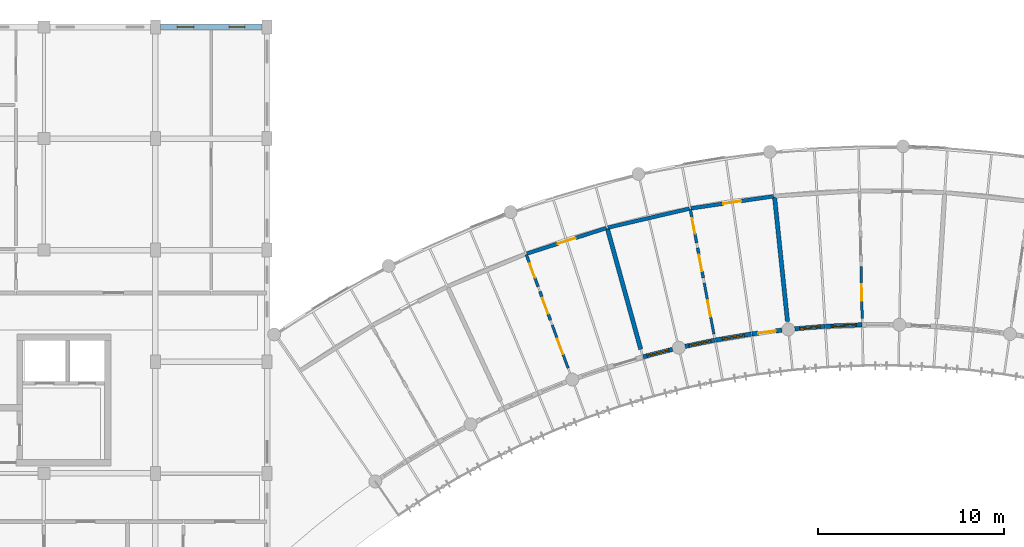
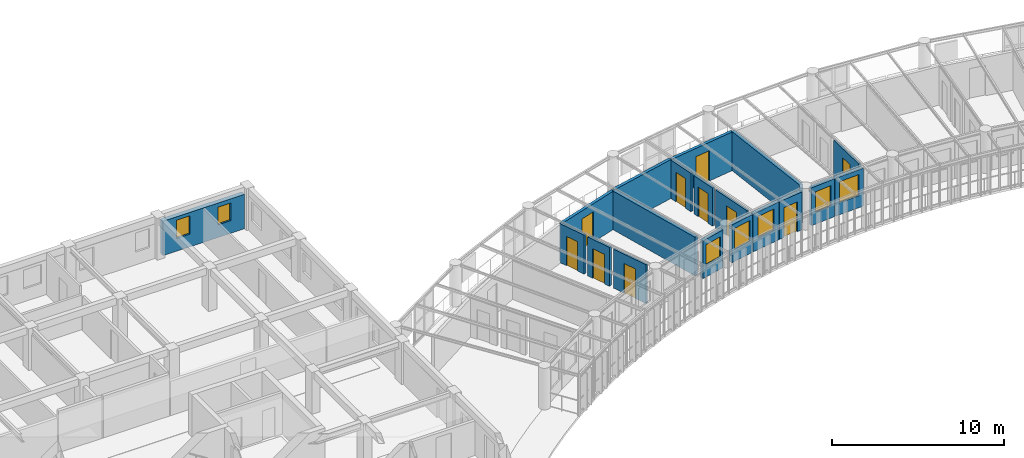
# One storey, part 73 of 100: 19 walls, 10 doors, 7 windows, 17 openings.
"""IFC4 building model written with IfcOpenShell, lengths in metres."""

import ifcopenshell
import ifcopenshell.guid

model = None  # the IFC model being written
_history = None  # IfcOwnerHistory: only IFC2X3 demands one
_inside = {}  # id of a spatial element -> (the spatial element, [elements in it])
_under = {}  # id of a project, library or spatial element -> (it, [spatial elements below it])
_declared = {}  # id of a project -> (the project, [libraries it declares])
_typed = {}  # id of a type object -> (the type object, [elements of that type])
_made_of = {}  # id of a material, layer set ... -> (it, [elements and type objects made of it])


def new_model(schema):
    """Start an empty IFC model of exactly this schema.

    Asked for "IFC4X3", IfcOpenShell would pick the latest addendum, in which some entities
    have other attributes; the version numbers below select the first issue.
    IFC2X3 requires an IfcOwnerHistory on every rooted entity: one is made here for all.
    """
    global model, _history
    if schema == "IFC4X3":
        model = ifcopenshell.file(schema_version=(4, 3, 0, 0))
    else:
        model = ifcopenshell.file(schema=schema)
    _inside.clear()
    _under.clear()
    _declared.clear()
    _typed.clear()
    _made_of.clear()
    _history = None
    if model.schema == "IFC2X3":
        org = make("IfcOrganization", Name="unknown")
        user = make(
            "IfcPersonAndOrganization",
            ThePerson=make("IfcPerson", FamilyName="unknown"),
            TheOrganization=org,
        )
        app = make(
            "IfcApplication",
            ApplicationDeveloper=org,
            Version="unknown",
            ApplicationFullName="unknown",
            ApplicationIdentifier="unknown",
        )
        _history = make(
            "IfcOwnerHistory",
            OwningUser=user,
            OwningApplication=app,
            ChangeAction="ADDED",
            CreationDate=0,
        )
    return model


def make(cls, **values):
    """One entity of the class cls with the attributes given. An attribute that is None is left unset."""
    return model.create_entity(
        cls, **{name: value for name, value in values.items() if value is not None}
    )


def rooted(cls, **values):
    """An entity with a GlobalId (a new one), such as an element, a storey or a relation."""
    return make(cls, GlobalId=ifcopenshell.guid.new(), OwnerHistory=_history, **values)


def si_unit(unit_type, name, prefix=None):
    """IfcSIUnit, for example si_unit("LENGTHUNIT", "METRE", prefix="MILLI")."""
    return make("IfcSIUnit", UnitType=unit_type, Prefix=prefix, Name=name)


def assignment(units):
    """IfcUnitAssignment: the units of a project."""
    return None if units is None else make("IfcUnitAssignment", Units=units)


def point(xyz):
    """IfcCartesianPoint."""
    return None if xyz is None else make("IfcCartesianPoint", Coordinates=xyz)


def direction(xyz):
    """IfcDirection."""
    return None if xyz is None else make("IfcDirection", DirectionRatios=xyz)


def frame(location, z_axis=None, x_axis=None):
    """IfcAxis2Placement3D, a coordinate frame: its origin and axes. An axis left out is left unset."""
    return make(
        "IfcAxis2Placement3D",
        Location=point(location),
        Axis=direction(z_axis),
        RefDirection=direction(x_axis),
    )


def frame_2d(location, x_axis=None):
    """IfcAxis2Placement2D, a coordinate frame in the plane: its origin and x axis."""
    return make(
        "IfcAxis2Placement2D", Location=point(location), RefDirection=direction(x_axis)
    )


def origin():
    """The frame at (0, 0, 0) with its axes left unset."""
    return frame((0.0, 0.0, 0.0))


def place(relative_to, where):
    """IfcLocalPlacement: puts the frame where relative to a parent placement (None: the world)."""
    return make(
        "IfcLocalPlacement", PlacementRelTo=relative_to, RelativePlacement=where
    )


def context(
    kind, dimensions, precision=None, world=None, true_north=None, identifier=None
):
    """IfcGeometricRepresentationContext, for example the 3D "Model" context."""
    return make(
        "IfcGeometricRepresentationContext",
        ContextIdentifier=identifier,
        ContextType=kind,
        CoordinateSpaceDimension=dimensions,
        Precision=precision,
        WorldCoordinateSystem=world,
        TrueNorth=true_north,
    )


def subcontext(parent, identifier, kind, view, scale=None):
    """IfcGeometricRepresentationSubContext, for example "Body" below "Model"."""
    return make(
        "IfcGeometricRepresentationSubContext",
        ContextIdentifier=identifier,
        ContextType=kind,
        ParentContext=parent,
        TargetScale=scale,
        TargetView=view,
    )


def project(units=None, contexts=None):
    """IfcProject with its units and contexts."""
    return rooted(
        "IfcProject",
        Name="project",
        RepresentationContexts=contexts,
        UnitsInContext=assignment(units),
    )


def spatial(cls, under=None, at=None, **own):
    """A site, building, storey or space (cls), placed at a placement, below another one or the project."""
    s = rooted(cls, ObjectPlacement=at, **own)
    if under is not None:
        _under.setdefault(under.id(), (under, []))[1].append(s)
    return s


def profile(cls, at=None, kind="AREA", **sizes):
    """A parametric profile (cls). Its sizes go by their IFC names, for example OverallWidth=200.0."""
    return make(cls, ProfileType=kind, Position=at, **sizes)


def rectangle(**sizes):
    """IfcRectangleProfileDef."""
    return profile("IfcRectangleProfileDef", **sizes)


def extrude(swept, where, along, depth):
    """IfcExtrudedAreaSolid: the profile swept, set in the frame where, extruded along a direction by depth."""
    return make(
        "IfcExtrudedAreaSolid",
        SweptArea=swept,
        Position=where,
        ExtrudedDirection=direction(along),
        Depth=depth,
    )


def shape(context_of_items, identifier, shape_type, items):
    """IfcShapeRepresentation: the items that make up one representation, for example the "Body"."""
    return make(
        "IfcShapeRepresentation",
        ContextOfItems=context_of_items,
        RepresentationIdentifier=identifier,
        RepresentationType=shape_type,
        Items=items,
    )


def material(Name=None, Category=None):
    """IfcMaterial."""
    return make("IfcMaterial", Name=Name, Category=Category)


def layer(
    of_material, thickness, ventilated=None, Name=None, Category=None, Priority=None
):
    """IfcMaterialLayer: one layer of a wall or slab, of a material (None: an air gap)."""
    return make(
        "IfcMaterialLayer",
        Material=of_material,
        LayerThickness=thickness,
        IsVentilated=ventilated,
        Name=Name,
        Category=Category,
        Priority=Priority,
    )


def layer_set(layers, Name=None):
    """IfcMaterialLayerSet."""
    return make("IfcMaterialLayerSet", MaterialLayers=layers, LayerSetName=Name)


def made_of(thing, what):
    """Note that an element or type object is made of a material, layer set ...; save() writes the relation."""
    if what is not None:
        _made_of.setdefault(what.id(), (what, []))[1].append(thing)
    return thing


def type_object(cls, material=None, **own):
    """A type object (cls), such as IfcWallType, which elements share."""
    return made_of(rooted(cls, **own), material)


def element(
    cls,
    number,
    at=None,
    inside=None,
    cuts=None,
    type_object=None,
    material=None,
    context=None,
    identifier="Body",
    shape_type=None,
    held_by="IfcProductDefinitionShape",
    body=None,
    shapes=None,
    **own,
):
    """One element of the class cls, such as IfcWall. Its Tag is "e" and its number.

    at: its placement. inside: the storey or other place that contains it. cuts: it is an
    opening in that element (IfcRelVoidsElement). A single representation is given by context,
    identifier, shape_type and body (its items); several are given by shapes. held_by: the class
    of the entity that holds the representations. save() writes the other relations.
    """
    e = rooted(cls, Tag="e%d" % number, ObjectPlacement=at, **own)
    if body is not None:
        shapes = [shape(context, identifier, shape_type, body)]
    if shapes is not None:
        e.Representation = make(held_by, Representations=shapes)
    if inside is not None:
        _inside.setdefault(inside.id(), (inside, []))[1].append(e)
    if cuts is not None:
        rooted(
            "IfcRelVoidsElement", RelatingBuildingElement=cuts, RelatedOpeningElement=e
        )
    if type_object is not None:
        _typed.setdefault(type_object.id(), (type_object, []))[1].append(e)
    return made_of(e, material)


def fill(opening, filler):
    """IfcRelFillsElement: the door or window that sits in an opening."""
    return rooted(
        "IfcRelFillsElement",
        RelatingOpeningElement=opening,
        RelatedBuildingElement=filler,
    )


def aggregate(whole, parts):
    """IfcRelAggregates: a whole, such as a stair, and the parts it consists of."""
    return rooted("IfcRelAggregates", RelatingObject=whole, RelatedObjects=parts)


def save(model, path):
    """Write the relations noted so far, then the file.

    IfcRelAggregates (storeys below a building ...), IfcRelContainedInSpatialStructure (elements
    in a storey), IfcRelDefinesByType, IfcRelAssociatesMaterial and IfcRelDeclares: one each for
    every whole, place, type object, material and project.
    """
    for whole, parts in _under.values():
        aggregate(whole, parts)
    for where, things in _inside.values():
        rooted(
            "IfcRelContainedInSpatialStructure",
            RelatedElements=things,
            RelatingStructure=where,
        )
    for kind, things in _typed.values():
        rooted("IfcRelDefinesByType", RelatedObjects=things, RelatingType=kind)
    for what, things in _made_of.values():
        rooted("IfcRelAssociatesMaterial", RelatedObjects=things, RelatingMaterial=what)
    for by, libraries in _declared.values():
        rooted("IfcRelDeclares", RelatingContext=by, RelatedDefinitions=libraries)
    model.write(path)


model = new_model("IFC4")

# Units and contexts
model_context = context("Model", 3, precision=1e-05, world=origin(), true_north=direction((0.0, 1.0)))
body_context = subcontext(model_context, "Body", "Model", "MODEL_VIEW")
ifc_project = project(units=[si_unit("LENGTHUNIT", "METRE"), si_unit("AREAUNIT", "SQUARE_METRE"), si_unit("VOLUMEUNIT", "CUBIC_METRE"), si_unit("PLANEANGLEUNIT", "RADIAN"), si_unit("MASSUNIT", "GRAM", prefix="KILO"), si_unit("POWERUNIT", "WATT"), si_unit("THERMODYNAMICTEMPERATUREUNIT", "KELVIN")], contexts=[model_context])

# Site, building, storey
site_placement = place(None, origin())
site = spatial("IfcSite", under=ifc_project, at=site_placement, CompositionType="ELEMENT")
building_placement = place(site_placement, origin())
building = spatial("IfcBuilding", under=site, at=building_placement, Name="Ruvembo Vaulted Housing Court", CompositionType="ELEMENT")
storey_placement = place(building_placement, frame((0.0, 0.0, 10.89990234375)))
storey = spatial("IfcBuildingStorey", under=building, at=storey_placement, Name="L03", CompositionType="ELEMENT", Elevation=10.89990234375)

# Wall, opening, door
ifc_material_1 = material(Name="Concrete Blockwork 200", Category="masonry")
ifc_layer_1 = layer(ifc_material_1, 0.199951171875, Name="Concrete Blockwork 200")
ifc_layer_set_1 = layer_set([ifc_layer_1], Name="Concrete Blockwork 200")
wall_type_1 = type_object("IfcWallType", Name="WL-CORR-200", PredefinedType="SOLIDWALL", material=ifc_layer_set_1)
wall_1_placement = place(storey_placement, frame((97.962890625, 101.811767578125, 0.0), z_axis=(0.0, 0.0, 1.0), x_axis=(0.95193992138, 0.306284812035, 0.0)))
wall_1 = element("IfcWall", 1, at=wall_1_placement, inside=storey, type_object=wall_type_1, Name="L03 Suite SC3-L03-U2 Entrance WL-INT-L03-01052", PredefinedType="SOLIDWALL", context=body_context, shape_type="SweptSolid", body=[
    extrude(rectangle(XDim=4.501220703125, YDim=0.199951171875, at=frame_2d((2.25048828125, 0.0))), origin(), (0.0, 0.0, 1.0), 2.72216796875),
])
opening_1_placement = place(wall_1_placement, frame((1.750732421875, 0.0, 0.0)))
opening_1 = element("IfcOpeningElement", 2, at=opening_1_placement, cuts=wall_1, Name="Opening FD1", PredefinedType="OPENING", context=body_context, shape_type="SweptSolid", body=[
    extrude(rectangle(XDim=1.0, YDim=2.14990234375, at=frame_2d((0.5, 1.074951171875))), frame((0.0, 0.10986328125, 0.0), z_axis=(0.0, -1.0, 0.0), x_axis=(1.0, 0.0, 0.0)), (0.0, 0.0, 1.0), 0.219970703125),
])
ifc_material_2 = material(Name="FSC Hardwood and Engineered Timber", Category="wood")
door_type_1 = type_object("IfcDoorType", Name="DR-FLAT-1000x2150", OperationType="NOTDEFINED", PredefinedType="DOOR", material=ifc_material_2)
door_1_placement = place(opening_1_placement, origin())
door_1 = element("IfcDoor", 3, at=door_1_placement, inside=storey, type_object=door_type_1, Name="L03 Suite SC3-L03-U2 Entrance Door DR-INT-L03-00588", OperationType="SINGLE_SWING_RIGHT", OverallHeight=2.14990234375, OverallWidth=1.0, PredefinedType="DOOR", context=body_context, shape_type="SweptSolid", body=[
    extrude(rectangle(XDim=1.0, YDim=2.14990234375, at=frame_2d((0.5, 1.074951171875))), frame((0.0, 0.02490234375, 0.0), z_axis=(0.0, -1.0, 0.0), x_axis=(1.0, 0.0, 0.0)), (0.0, 0.0, 1.0), 0.050048828125),
])
fill(opening_1, door_1)

# Wall
wall_2_placement = place(storey_placement, frame((102.324951171875, 103.2119140625, 0.0), z_axis=(0.0, 0.0, 1.0), x_axis=(0.974052809246, 0.226320844821, 0.0)))
element("IfcWall", 4, at=wall_2_placement, inside=storey, type_object=wall_type_1, Name="L03 Suite SC3-L03-U3 Gallery Wall WL-INT-L03-01057", PredefinedType="SOLIDWALL", context=body_context, shape_type="SweptSolid", body=[
    extrude(rectangle(XDim=4.50146484375, YDim=0.199951171875, at=frame_2d((2.250732421875, 0.0))), origin(), (0.0, 0.0, 1.0), 2.76220703125),
])

# Wall, opening, door
wall_3_placement = place(storey_placement, frame((106.7880859375, 104.24560546875, 0.0), z_axis=(0.0, 0.0, 1.0), x_axis=(0.98946769641, 0.14475385232, 0.0)))
wall_3 = element("IfcWall", 5, at=wall_3_placement, inside=storey, type_object=wall_type_1, Name="L03 Suite SC3-L03-U3 Entrance WL-INT-L03-01058", PredefinedType="SOLIDWALL", context=body_context, shape_type="SweptSolid", body=[
    extrude(rectangle(XDim=4.50146484375, YDim=0.199951171875, at=frame_2d((2.250732421875, 0.0))), origin(), (0.0, 0.0, 1.0), 2.7421875),
])
opening_2_placement = place(wall_3_placement, frame((1.7607421875, 0.0, 0.0)))
opening_2 = element("IfcOpeningElement", 6, at=opening_2_placement, cuts=wall_3, Name="Opening FD2", PredefinedType="OPENING", context=body_context, shape_type="SweptSolid", body=[
    extrude(rectangle(XDim=0.97998046875, YDim=2.14990234375, at=frame_2d((0.489990234375, 1.074951171875))), frame((0.0, 0.10986328125, 0.0), z_axis=(0.0, -1.0, 0.0), x_axis=(1.0, 0.0, 0.0)), (0.0, 0.0, 1.0), 0.219970703125),
])
door_type_2 = type_object("IfcDoorType", Name="DR-FLAT-0980x2150", OperationType="NOTDEFINED", PredefinedType="DOOR", material=ifc_material_2)
door_2_placement = place(opening_2_placement, origin())
door_2 = element("IfcDoor", 7, at=door_2_placement, inside=storey, type_object=door_type_2, Name="L03 Suite SC3-L03-U3 Entrance Door DR-INT-L03-00592", OperationType="SINGLE_SWING_RIGHT", OverallHeight=2.14990234375, OverallWidth=0.97998046875, PredefinedType="DOOR", context=body_context, shape_type="SweptSolid", body=[
    extrude(rectangle(XDim=0.97998046875, YDim=2.14990234375, at=frame_2d((0.489990234375, 1.074951171875))), frame((0.0, 0.02490234375, 0.0), z_axis=(0.0, -1.0, 0.0), x_axis=(1.0, 0.0, 0.0)), (0.0, 0.0, 1.0), 0.050048828125),
])
fill(opening_2, door_2)

# Walls
ifc_material_3 = material(Name="Acoustic Masonry Demising 230", Category="masonry")
ifc_layer_2 = layer(ifc_material_3, 0.22998046875, Name="Acoustic Masonry Demising 230")
ifc_layer_set_2 = layer_set([ifc_layer_2], Name="Acoustic Masonry Demising 230")
wall_type_2 = type_object("IfcWallType", Name="WL-DEM-230", PredefinedType="SOLIDWALL", material=ifc_layer_set_2)
wall_4_placement = place(storey_placement, frame((104.09228515625, 96.672119140625, 0.0), z_axis=(0.0, 0.0, 1.0), x_axis=(-0.266578174631, 0.963813299768, 0.0)))
element("IfcWall", 8, at=wall_4_placement, inside=storey, type_object=wall_type_2, Name="L03 Suite SC3-L03-U2 Demising WL-INT-L03-01056", PredefinedType="SOLIDWALL", context=body_context, shape_type="SweptSolid", body=[
    extrude(rectangle(XDim=6.73583984375, YDim=0.22998046875, at=frame_2d((3.367919921875, 0.0))), origin(), (0.0, 0.0, 1.0), 2.7421875),
])
wall_5_placement = place(storey_placement, frame((111.98388671875, 98.16357421875, 0.0), z_axis=(0.0, 0.0, 1.0), x_axis=(-0.10362251791, 0.994616696915, 0.0)))
element("IfcWall", 9, at=wall_5_placement, inside=storey, type_object=wall_type_2, Name="L03 Suite SC3-L03-U3 Demising WL-INT-L03-01062", PredefinedType="SOLIDWALL", context=body_context, shape_type="SweptSolid", body=[
    extrude(rectangle(XDim=6.736083984375, YDim=0.22998046875, at=frame_2d((3.3681640625, 0.0))), origin(), (0.0, 0.0, 1.0), 2.76220703125),
])

# Wall, opening, window
ifc_material_4 = material(Name="Rendered Masonry 235", Category="masonry")
ifc_layer_3 = layer(ifc_material_4, 0.235107421875, Name="Rendered Masonry 235")
ifc_layer_set_3 = layer_set([ifc_layer_3], Name="Rendered Masonry 235")
wall_type_3 = type_object("IfcWallType", Name="WL-EXT-235", PredefinedType="STANDARD", material=ifc_layer_set_3)
wall_6_placement = place(storey_placement, frame((104.224609375, 96.268310546875, 0.0), z_axis=(0.0, 0.0, 1.0), x_axis=(0.969152085663, 0.246463455413, 0.0)))
wall_6 = element("IfcWall", 10, at=wall_6_placement, inside=storey, type_object=wall_type_3, Name="Scoop SC3 L03 Concave Balcony Wall 8", PredefinedType="STANDARD", context=body_context, shape_type="SweptSolid", body=[
    extrude(rectangle(XDim=1.62255859375, YDim=0.235107421875, at=frame_2d((0.811279296875, 0.0))), origin(), (0.0, 0.0, 1.0), 2.68408203125),
])
opening_3_placement = place(wall_6_placement, frame((0.211181640625, 0.0, 0.85009765625)))
opening_3 = element("IfcOpeningElement", 11, at=opening_3_placement, cuts=wall_6, Name="Opening W13", PredefinedType="OPENING", context=body_context, shape_type="SweptSolid", body=[
    extrude(rectangle(XDim=1.199951171875, YDim=1.449951171875, at=frame_2d((0.60009765625, 0.72509765625))), frame((0.0, 0.12744140625, 0.0), z_axis=(0.0, -1.0, 0.0), x_axis=(1.0, 0.0, 0.0)), (0.0, 0.0, 1.0), 0.255126953125),
])
ifc_material_5 = material(Name="Double Solar-Control Glazing in Aluminium Frame", Category="aluminium")
window_type_1 = type_object("IfcWindowType", Name="WIN-1200x1450", PartitioningType="SINGLE_PANEL", PredefinedType="WINDOW", material=ifc_material_5)
window_1_placement = place(opening_3_placement, origin())
window_1 = element("IfcWindow", 12, at=window_1_placement, inside=storey, type_object=window_type_1, Name="Scoop SC3 L03 Concave Window 8", OverallHeight=1.449951171875, OverallWidth=1.199951171875, PartitioningType="SINGLE_PANEL", PredefinedType="WINDOW", context=body_context, shape_type="SweptSolid", body=[
    extrude(rectangle(XDim=1.199951171875, YDim=1.449951171875, at=frame_2d((0.60009765625, 0.72509765625))), frame((0.0, 0.030029296875, 0.0), z_axis=(0.0, -1.0, 0.0), x_axis=(1.0, 0.0, 0.0)), (0.0, 0.0, 1.0), 0.06005859375),
])
fill(opening_3, window_1)

wall_7_placement = place(storey_placement, frame((106.478759765625, 96.826416015625, 0.0), z_axis=(0.0, 0.0, 1.0), x_axis=(0.978514642092, 0.206177339229, 0.0)))
wall_7 = element("IfcWall", 13, at=wall_7_placement, inside=storey, type_object=wall_type_3, Name="Scoop SC3 L03 Concave Balcony Wall 9", PredefinedType="STANDARD", context=body_context, shape_type="SweptSolid", body=[
    extrude(rectangle(XDim=1.622314453125, YDim=0.235107421875, at=frame_2d((0.81103515625, 0.0))), origin(), (0.0, 0.0, 1.0), 2.68408203125),
])
opening_4_placement = place(wall_7_placement, frame((0.211181640625, 0.0, 0.85009765625)))
opening_4 = element("IfcOpeningElement", 14, at=opening_4_placement, cuts=wall_7, Name="Opening W14", PredefinedType="OPENING", context=body_context, shape_type="SweptSolid", body=[
    extrude(rectangle(XDim=1.199951171875, YDim=1.5, at=frame_2d((0.60009765625, 0.75))), frame((0.0, 0.12744140625, 0.0), z_axis=(0.0, -1.0, 0.0), x_axis=(1.0, 0.0, 0.0)), (0.0, 0.0, 1.0), 0.255126953125),
])
window_type_2 = type_object("IfcWindowType", Name="WIN-1200x1500", PartitioningType="SINGLE_PANEL", PredefinedType="WINDOW", material=ifc_material_5)
window_2_placement = place(opening_4_placement, origin())
window_2 = element("IfcWindow", 15, at=window_2_placement, inside=storey, type_object=window_type_2, Name="Scoop SC3 L03 Concave Window 9", OverallHeight=1.5, OverallWidth=1.199951171875, PartitioningType="SINGLE_PANEL", PredefinedType="WINDOW", context=body_context, shape_type="SweptSolid", body=[
    extrude(rectangle(XDim=1.199951171875, YDim=1.5, at=frame_2d((0.60009765625, 0.75))), frame((0.0, 0.030029296875, 0.0), z_axis=(0.0, -1.0, 0.0), x_axis=(1.0, 0.0, 0.0)), (0.0, 0.0, 1.0), 0.06005859375),
])
fill(opening_4, window_2)

wall_8_placement = place(storey_placement, frame((108.10546875, 97.168212890625, 0.0), z_axis=(0.0, 0.0, 1.0), x_axis=(0.986241418229, 0.165311418144, 0.0)))
wall_8 = element("IfcWall", 16, at=wall_8_placement, inside=storey, type_object=wall_type_3, Name="Scoop SC3 L03 Concave Balcony Wall 10", PredefinedType="STANDARD", context=body_context, shape_type="SweptSolid", body=[
    extrude(rectangle(XDim=1.952392578125, YDim=0.235107421875, at=frame_2d((0.97607421875, 0.0))), origin(), (0.0, 0.0, 1.0), 2.68408203125),
])
opening_5_placement = place(wall_8_placement, frame((0.376220703125, 0.0, 0.85009765625)))
opening_5 = element("IfcOpeningElement", 17, at=opening_5_placement, cuts=wall_8, Name="Opening W14", PredefinedType="OPENING", context=body_context, shape_type="SweptSolid", body=[
    extrude(rectangle(XDim=1.199951171875, YDim=1.5, at=frame_2d((0.60009765625, 0.75))), frame((0.0, 0.12744140625, 0.0), z_axis=(0.0, -1.0, 0.0), x_axis=(1.0, 0.0, 0.0)), (0.0, 0.0, 1.0), 0.255126953125),
])
window_3_placement = place(opening_5_placement, origin())
window_3 = element("IfcWindow", 18, at=window_3_placement, inside=storey, type_object=window_type_2, Name="Scoop SC3 L03 Concave Window 10", OverallHeight=1.5, OverallWidth=1.199951171875, PartitioningType="SINGLE_PANEL", PredefinedType="WINDOW", context=body_context, shape_type="SweptSolid", body=[
    extrude(rectangle(XDim=1.199951171875, YDim=1.5, at=frame_2d((0.60009765625, 0.75))), frame((0.0, 0.030029296875, 0.0), z_axis=(0.0, -1.0, 0.0), x_axis=(1.0, 0.0, 0.0)), (0.0, 0.0, 1.0), 0.06005859375),
])
fill(opening_5, window_3)

# Wall, opening, door
wall_9_placement = place(storey_placement, frame((110.070556640625, 97.496826171875, 0.0), z_axis=(0.0, 0.0, 1.0), x_axis=(0.992263980046, 0.124145857376, 0.0)))
wall_9 = element("IfcWall", 19, at=wall_9_placement, inside=storey, type_object=wall_type_3, Name="Scoop SC3 L03 Concave Balcony Wall 11", PredefinedType="STANDARD", context=body_context, shape_type="SweptSolid", body=[
    extrude(rectangle(XDim=1.622314453125, YDim=0.235107421875, at=frame_2d((0.81103515625, 0.0))), origin(), (0.0, 0.0, 1.0), 2.68408203125),
])
opening_6_placement = place(wall_9_placement, frame((0.336181640625, 0.0, 0.0)))
opening_6 = element("IfcOpeningElement", 20, at=opening_6_placement, cuts=wall_9, Name="Opening BD0", PredefinedType="OPENING", context=body_context, shape_type="SweptSolid", body=[
    extrude(rectangle(XDim=0.949951171875, YDim=2.1201171875, at=frame_2d((0.47509765625, 1.06005859375))), frame((0.0, 0.12744140625, 0.0), z_axis=(0.0, -1.0, 0.0), x_axis=(1.0, 0.0, 0.0)), (0.0, 0.0, 1.0), 0.255126953125),
])
ifc_material_6 = material(Name="Thermally Broken Glazed Aluminium", Category="aluminium")
door_type_3 = type_object("IfcDoorType", Name="DR-BAL-0950x2120", OperationType="NOTDEFINED", PredefinedType="DOOR", material=ifc_material_6)
door_3_placement = place(opening_6_placement, frame((0.949951171875, 0.0, 0.0), z_axis=(0.0, 0.0, 1.0), x_axis=(-1.0, 0.0, 0.0)))
door_3 = element("IfcDoor", 21, at=door_3_placement, inside=storey, type_object=door_type_3, Name="Scoop SC3 L03 Balcony Door 11", OperationType="SINGLE_SWING_LEFT", OverallHeight=2.1201171875, OverallWidth=0.949951171875, PredefinedType="DOOR", context=body_context, shape_type="SweptSolid", body=[
    extrude(rectangle(XDim=0.949951171875, YDim=2.1201171875, at=frame_2d((0.47509765625, 1.06005859375))), frame((0.0, 0.02490234375, 0.0), z_axis=(0.0, -1.0, 0.0), x_axis=(1.0, 0.0, 0.0)), (0.0, 0.0, 1.0), 0.050048828125),
])
fill(opening_6, door_3)

# Wall, opening, window
wall_10_placement = place(storey_placement, frame((112.37646484375, 97.770751953125, 0.0), z_axis=(0.0, 0.0, 1.0), x_axis=(0.996557163732, 0.082908500259, 0.0)))
wall_10 = element("IfcWall", 22, at=wall_10_placement, inside=storey, type_object=wall_type_3, Name="Scoop SC3 L03 Concave Balcony Wall 12", PredefinedType="STANDARD", context=body_context, shape_type="SweptSolid", body=[
    extrude(rectangle(XDim=1.62255859375, YDim=0.235107421875, at=frame_2d((0.811279296875, 0.0))), origin(), (0.0, 0.0, 1.0), 2.68408203125),
])
opening_7_placement = place(wall_10_placement, frame((0.26123046875, 0.0, 0.85009765625)))
opening_7 = element("IfcOpeningElement", 23, at=opening_7_placement, cuts=wall_10, Name="Opening W10", PredefinedType="OPENING", context=body_context, shape_type="SweptSolid", body=[
    extrude(rectangle(XDim=1.10009765625, YDim=1.449951171875, at=frame_2d((0.550048828125, 0.72509765625))), frame((0.0, 0.12744140625, 0.0), z_axis=(0.0, -1.0, 0.0), x_axis=(1.0, 0.0, 0.0)), (0.0, 0.0, 1.0), 0.255126953125),
])
window_type_3 = type_object("IfcWindowType", Name="WIN-1100x1450", PartitioningType="SINGLE_PANEL", PredefinedType="WINDOW", material=ifc_material_5)
window_4_placement = place(opening_7_placement, origin())
window_4 = element("IfcWindow", 24, at=window_4_placement, inside=storey, type_object=window_type_3, Name="Scoop SC3 L03 Concave Window 12", OverallHeight=1.449951171875, OverallWidth=1.10009765625, PartitioningType="SINGLE_PANEL", PredefinedType="WINDOW", context=body_context, shape_type="SweptSolid", body=[
    extrude(rectangle(XDim=1.10009765625, YDim=1.449951171875, at=frame_2d((0.550048828125, 0.72509765625))), frame((0.0, 0.030029296875, 0.0), z_axis=(0.0, -1.0, 0.0), x_axis=(1.0, 0.0, 0.0)), (0.0, 0.0, 1.0), 0.06005859375),
])
fill(opening_7, window_4)

wall_11_placement = place(storey_placement, frame((114.033203125, 97.90771484375, 0.0), z_axis=(0.0, 0.0, 1.0), x_axis=(0.999132639597, 0.041640947307, 0.0)))
wall_11 = element("IfcWall", 25, at=wall_11_placement, inside=storey, type_object=wall_type_3, Name="Scoop SC3 L03 Concave Balcony Wall 13", PredefinedType="STANDARD", context=body_context, shape_type="SweptSolid", body=[
    extrude(rectangle(XDim=1.952392578125, YDim=0.235107421875, at=frame_2d((0.97607421875, 0.0))), origin(), (0.0, 0.0, 1.0), 2.68408203125),
])
opening_8_placement = place(wall_11_placement, frame((0.301025390625, 0.0, 0.85009765625)))
opening_8 = element("IfcOpeningElement", 26, at=opening_8_placement, cuts=wall_11, Name="Opening W16", PredefinedType="OPENING", context=body_context, shape_type="SweptSolid", body=[
    extrude(rectangle(XDim=1.35009765625, YDim=1.5, at=frame_2d((0.675048828125, 0.75))), frame((0.0, 0.12744140625, 0.0), z_axis=(0.0, -1.0, 0.0), x_axis=(1.0, 0.0, 0.0)), (0.0, 0.0, 1.0), 0.255126953125),
])
window_type_4 = type_object("IfcWindowType", Name="WIN-1350x1500", PartitioningType="SINGLE_PANEL", PredefinedType="WINDOW", material=ifc_material_5)
window_5_placement = place(opening_8_placement, origin())
window_5 = element("IfcWindow", 27, at=window_5_placement, inside=storey, type_object=window_type_4, Name="Scoop SC3 L03 Concave Window 13", OverallHeight=1.5, OverallWidth=1.35009765625, PartitioningType="SINGLE_PANEL", PredefinedType="WINDOW", context=body_context, shape_type="SweptSolid", body=[
    extrude(rectangle(XDim=1.35009765625, YDim=1.5, at=frame_2d((0.675048828125, 0.75))), frame((0.0, 0.030029296875, 0.0), z_axis=(0.0, -1.0, 0.0), x_axis=(1.0, 0.0, 0.0)), (0.0, 0.0, 1.0), 0.06005859375),
])
fill(opening_8, window_5)

# Wall, openings, windows
ifc_material_7 = material(Name="Rendered Masonry 300", Category="masonry")
ifc_layer_4 = layer(ifc_material_7, 0.300048828125, Name="Rendered Masonry 300")
ifc_layer_set_4 = layer_set([ifc_layer_4], Name="Rendered Masonry 300")
wall_type_4 = type_object("IfcWallType", Name="WL-EXT-300", PredefinedType="STANDARD", material=ifc_layer_set_4)
wall_12_placement = place(storey_placement, frame((83.72509765625, 114.0, 0.0), z_axis=(0.0, 0.0, 1.0), x_axis=(-1.0, 0.0, 0.0)))
wall_12 = element("IfcWall", 28, at=wall_12_placement, inside=storey, type_object=wall_type_4, Name="Block B L03 Exterior Wall STREET #1", PredefinedType="STANDARD", context=body_context, shape_type="SweptSolid", body=[
    extrude(rectangle(XDim=5.4501953125, YDim=0.300048828125, at=frame_2d((2.72509765625, 0.0))), origin(), (0.0, 0.0, 1.0), 2.442138671875),
])
opening_9_placement = place(wall_12_placement, frame((0.91748046875, 0.0, 0.89990234375)))
opening_9 = element("IfcOpeningElement", 29, at=opening_9_placement, cuts=wall_12, Name="Opening W03", PredefinedType="OPENING", context=body_context, shape_type="SweptSolid", body=[
    extrude(rectangle(XDim=0.85009765625, YDim=1.25, at=frame_2d((0.425048828125, 0.625))), frame((0.0, 0.159912109375, 0.0), z_axis=(0.0, -1.0, 0.0), x_axis=(1.0, 0.0, 0.0)), (0.0, 0.0, 1.0), 0.320068359375),
])
opening_10_placement = place(wall_12_placement, frame((3.657470703125, 0.0, 0.89990234375)))
opening_10 = element("IfcOpeningElement", 30, at=opening_10_placement, cuts=wall_12, Name="Opening W04", PredefinedType="OPENING", context=body_context, shape_type="SweptSolid", body=[
    extrude(rectangle(XDim=0.89990234375, YDim=1.300048828125, at=frame_2d((0.449951171875, 0.64990234375))), frame((0.0, 0.159912109375, 0.0), z_axis=(0.0, -1.0, 0.0), x_axis=(1.0, 0.0, 0.0)), (0.0, 0.0, 1.0), 0.320068359375),
])
window_type_5 = type_object("IfcWindowType", Name="WIN-0850x1250", PartitioningType="SINGLE_PANEL", PredefinedType="WINDOW", material=ifc_material_5)
window_6_placement = place(opening_9_placement, origin())
window_6 = element("IfcWindow", 31, at=window_6_placement, inside=storey, type_object=window_type_5, Name="Block B L03 Window #745", OverallHeight=1.25, OverallWidth=0.85009765625, PartitioningType="SINGLE_PANEL", PredefinedType="WINDOW", context=body_context, shape_type="SweptSolid", body=[
    extrude(rectangle(XDim=0.85009765625, YDim=1.25, at=frame_2d((0.425048828125, 0.625))), frame((0.0, 0.030029296875, 0.0), z_axis=(0.0, -1.0, 0.0), x_axis=(1.0, 0.0, 0.0)), (0.0, 0.0, 1.0), 0.06005859375),
])
fill(opening_9, window_6)
window_type_6 = type_object("IfcWindowType", Name="WIN-0900x1300", PartitioningType="SINGLE_PANEL", PredefinedType="WINDOW", material=ifc_material_5)
window_7_placement = place(opening_10_placement, origin())
window_7 = element("IfcWindow", 32, at=window_7_placement, inside=storey, type_object=window_type_6, Name="Block B L03 Window #746", OverallHeight=1.300048828125, OverallWidth=0.89990234375, PartitioningType="SINGLE_PANEL", PredefinedType="WINDOW", context=body_context, shape_type="SweptSolid", body=[
    extrude(rectangle(XDim=0.89990234375, YDim=1.300048828125, at=frame_2d((0.449951171875, 0.64990234375))), frame((0.0, 0.030029296875, 0.0), z_axis=(0.0, -1.0, 0.0), x_axis=(1.0, 0.0, 0.0)), (0.0, 0.0, 1.0), 0.06005859375),
])
fill(opening_10, window_7)

# Wall, opening, door
ifc_material_8 = material(Name="Acoustic Stud Partition 135", Category="gypsum")
ifc_layer_5 = layer(ifc_material_8, 0.135009765625, Name="Acoustic Stud Partition 135")
ifc_layer_set_5 = layer_set([ifc_layer_5], Name="Acoustic Stud Partition 135")
wall_type_5 = type_object("IfcWallType", Name="WL-PART-135", PredefinedType="PARTITIONING", material=ifc_layer_set_5)
wall_13_placement = place(storey_placement, frame((100.18896484375, 95.651123046875, 0.0), z_axis=(0.0, 0.0, 1.0), x_axis=(-0.34555023948, 0.938400251489, 0.0)))
wall_13 = element("IfcWall", 33, at=wall_13_placement, inside=storey, type_object=wall_type_5, Name="L03 Suite SC3-L03-U2 Bedroom WL-INT-L03-01053", PredefinedType="PARTITIONING", context=body_context, shape_type="SweptSolid", body=[
    extrude(rectangle(XDim=2.47998046875, YDim=0.135009765625, at=frame_2d((1.239990234375, 0.0))), origin(), (0.0, 0.0, 1.0), 2.76220703125),
])
opening_11_placement = place(wall_13_placement, frame((0.800048828125, 0.0, 0.0)))
opening_11 = element("IfcOpeningElement", 34, at=opening_11_placement, cuts=wall_13, Name="Opening ID3", PredefinedType="OPENING", context=body_context, shape_type="SweptSolid", body=[
    extrude(rectangle(XDim=0.8798828125, YDim=2.10009765625, at=frame_2d((0.43994140625, 1.050048828125))), frame((0.0, 0.077392578125, 0.0), z_axis=(0.0, -1.0, 0.0), x_axis=(1.0, 0.0, 0.0)), (0.0, 0.0, 1.0), 0.155029296875),
])
door_type_4 = type_object("IfcDoorType", Name="DR-ROOM-0880x2100", OperationType="NOTDEFINED", PredefinedType="DOOR", material=ifc_material_2)
door_4_placement = place(opening_11_placement, origin())
door_4 = element("IfcDoor", 35, at=door_4_placement, inside=storey, type_object=door_type_4, Name="L03 Suite SC3-L03-U2 Bedroom Door DR-INT-L03-00589", OperationType="SINGLE_SWING_LEFT", OverallHeight=2.10009765625, OverallWidth=0.8798828125, PredefinedType="DOOR", context=body_context, shape_type="SweptSolid", body=[
    extrude(rectangle(XDim=0.8798828125, YDim=2.10009765625, at=frame_2d((0.43994140625, 1.050048828125))), frame((0.0, 0.02490234375, 0.0), z_axis=(0.0, -1.0, 0.0), x_axis=(1.0, 0.0, 0.0)), (0.0, 0.0, 1.0), 0.050048828125),
])
fill(opening_11, door_4)

wall_14_placement = place(storey_placement, frame((108.02490234375, 97.4873046875, 0.0), z_axis=(0.0, 0.0, 1.0), x_axis=(-0.185725576604, 0.982601653874, 0.0)))
wall_14 = element("IfcWall", 36, at=wall_14_placement, inside=storey, type_object=wall_type_5, Name="L03 Suite SC3-L03-U3 Bedroom WL-INT-L03-01059", PredefinedType="PARTITIONING", context=body_context, shape_type="SweptSolid", body=[
    extrude(rectangle(XDim=2.800048828125, YDim=0.135009765625, at=frame_2d((1.39990234375, 0.0))), origin(), (0.0, 0.0, 1.0), 2.72216796875),
])
opening_12_placement = place(wall_14_placement, frame((0.9599609375, 0.0, 0.0)))
opening_12 = element("IfcOpeningElement", 37, at=opening_12_placement, cuts=wall_14, Name="Opening ID3", PredefinedType="OPENING", context=body_context, shape_type="SweptSolid", body=[
    extrude(rectangle(XDim=0.8798828125, YDim=2.10009765625, at=frame_2d((0.43994140625, 1.050048828125))), frame((0.0, 0.077392578125, 0.0), z_axis=(0.0, -1.0, 0.0), x_axis=(1.0, 0.0, 0.0)), (0.0, 0.0, 1.0), 0.155029296875),
])
door_5_placement = place(opening_12_placement, origin())
door_5 = element("IfcDoor", 38, at=door_5_placement, inside=storey, type_object=door_type_4, Name="L03 Suite SC3-L03-U3 Bedroom Door DR-INT-L03-00593", OperationType="SINGLE_SWING_LEFT", OverallHeight=2.10009765625, OverallWidth=0.8798828125, PredefinedType="DOOR", context=body_context, shape_type="SweptSolid", body=[
    extrude(rectangle(XDim=0.8798828125, YDim=2.10009765625, at=frame_2d((0.43994140625, 1.050048828125))), frame((0.0, 0.02490234375, 0.0), z_axis=(0.0, -1.0, 0.0), x_axis=(1.0, 0.0, 0.0)), (0.0, 0.0, 1.0), 0.050048828125),
])
fill(opening_12, door_5)

wall_15_placement = place(storey_placement, frame((115.9970703125, 98.317626953125, 0.0), z_axis=(0.0, 0.0, 1.0), x_axis=(-0.02075255058, 0.999784642633, 0.0)))
wall_15 = element("IfcWall", 39, at=wall_15_placement, inside=storey, type_object=wall_type_5, Name="L03 Suite SC3-L03-U4 Bedroom WL-INT-L03-01065", PredefinedType="PARTITIONING", context=body_context, shape_type="SweptSolid", body=[
    extrude(rectangle(XDim=2.7998046875, YDim=0.135009765625, at=frame_2d((1.39990234375, 0.0))), origin(), (0.0, 0.0, 1.0), 2.7421875),
])
opening_13_placement = place(wall_15_placement, frame((0.9599609375, 0.0, 0.0)))
opening_13 = element("IfcOpeningElement", 40, at=opening_13_placement, cuts=wall_15, Name="Opening ID3", PredefinedType="OPENING", context=body_context, shape_type="SweptSolid", body=[
    extrude(rectangle(XDim=0.8798828125, YDim=2.10009765625, at=frame_2d((0.43994140625, 1.050048828125))), frame((0.0, 0.077392578125, 0.0), z_axis=(0.0, -1.0, 0.0), x_axis=(1.0, 0.0, 0.0)), (0.0, 0.0, 1.0), 0.155029296875),
])
door_6_placement = place(opening_13_placement, origin())
door_6 = element("IfcDoor", 41, at=door_6_placement, inside=storey, type_object=door_type_4, Name="L03 Suite SC3-L03-U4 Bedroom Door DR-INT-L03-00597", OperationType="SINGLE_SWING_LEFT", OverallHeight=2.10009765625, OverallWidth=0.8798828125, PredefinedType="DOOR", context=body_context, shape_type="SweptSolid", body=[
    extrude(rectangle(XDim=0.8798828125, YDim=2.10009765625, at=frame_2d((0.43994140625, 1.050048828125))), frame((0.0, 0.02490234375, 0.0), z_axis=(0.0, -1.0, 0.0), x_axis=(1.0, 0.0, 0.0)), (0.0, 0.0, 1.0), 0.050048828125),
])
fill(opening_13, door_6)

ifc_material_9 = material(Name="Moisture-Resistant Wet Partition 150", Category="gypsum")
ifc_layer_6 = layer(ifc_material_9, 0.14990234375, Name="Moisture-Resistant Wet Partition 150")
ifc_layer_set_6 = layer_set([ifc_layer_6], Name="Moisture-Resistant Wet Partition 150")
wall_type_6 = type_object("IfcWallType", Name="WL-PART-150", PredefinedType="PARTITIONING", material=ifc_layer_set_6)
wall_16_placement = place(storey_placement, frame((98.574462890625, 100.03515625, 0.0), z_axis=(0.0, 0.0, 1.0), x_axis=(-0.345490154584, 0.938422374566, 0.0)))
wall_16 = element("IfcWall", 42, at=wall_16_placement, inside=storey, type_object=wall_type_6, Name="L03 Suite SC3-L03-U2 Bathroom WL-INT-L03-01055", PredefinedType="PARTITIONING", context=body_context, shape_type="SweptSolid", body=[
    extrude(rectangle(XDim=1.840087890625, YDim=0.14990234375, at=frame_2d((0.919921875, 0.0))), origin(), (0.0, 0.0, 1.0), 2.76220703125),
])
opening_14_placement = place(wall_16_placement, frame((0.510009765625, 0.0, 0.0)))
opening_14 = element("IfcOpeningElement", 43, at=opening_14_placement, cuts=wall_16, Name="Opening ID4", PredefinedType="OPENING", context=body_context, shape_type="SweptSolid", body=[
    extrude(rectangle(XDim=0.820068359375, YDim=2.080078125, at=frame_2d((0.41015625, 1.0400390625))), frame((0.0, 0.0849609375, 0.0), z_axis=(0.0, -1.0, 0.0), x_axis=(1.0, 0.0, 0.0)), (0.0, 0.0, 1.0), 0.169921875),
])
door_type_5 = type_object("IfcDoorType", Name="DR-WET-0820x2080", OperationType="NOTDEFINED", PredefinedType="DOOR", material=ifc_material_2)
door_7_placement = place(opening_14_placement, origin())
door_7 = element("IfcDoor", 44, at=door_7_placement, inside=storey, type_object=door_type_5, Name="L03 Suite SC3-L03-U2 Bathroom Door DR-INT-L03-00591", OperationType="SINGLE_SWING_LEFT", OverallHeight=2.080078125, OverallWidth=0.820068359375, PredefinedType="DOOR", context=body_context, shape_type="SweptSolid", body=[
    extrude(rectangle(XDim=0.820068359375, YDim=2.080078125, at=frame_2d((0.41015625, 1.0400390625))), frame((0.0, 0.02490234375, 0.0), z_axis=(0.0, -1.0, 0.0), x_axis=(1.0, 0.0, 0.0)), (0.0, 0.0, 1.0), 0.050048828125),
])
fill(opening_14, door_7)

wall_17_placement = place(storey_placement, frame((107.097900390625, 102.392333984375, 0.0), z_axis=(0.0, 0.0, 1.0), x_axis=(-0.185746265255, 0.982597743201, 0.0)))
wall_17 = element("IfcWall", 45, at=wall_17_placement, inside=storey, type_object=wall_type_6, Name="L03 Suite SC3-L03-U3 Bathroom WL-INT-L03-01061", PredefinedType="PARTITIONING", context=body_context, shape_type="SweptSolid", body=[
    extrude(rectangle(XDim=1.840087890625, YDim=0.14990234375, at=frame_2d((0.919921875, 0.0))), origin(), (0.0, 0.0, 1.0), 2.72216796875),
])
opening_15_placement = place(wall_17_placement, frame((0.4951171875, 0.0, 0.0)))
opening_15 = element("IfcOpeningElement", 46, at=opening_15_placement, cuts=wall_17, Name="Opening ID2", PredefinedType="OPENING", context=body_context, shape_type="SweptSolid", body=[
    extrude(rectangle(XDim=0.85009765625, YDim=2.10009765625, at=frame_2d((0.425048828125, 1.050048828125))), frame((0.0, 0.0849609375, 0.0), z_axis=(0.0, -1.0, 0.0), x_axis=(1.0, 0.0, 0.0)), (0.0, 0.0, 1.0), 0.169921875),
])
door_type_6 = type_object("IfcDoorType", Name="DR-WET-0850x2100", OperationType="NOTDEFINED", PredefinedType="DOOR", material=ifc_material_2)
door_8_placement = place(opening_15_placement, origin())
door_8 = element("IfcDoor", 47, at=door_8_placement, inside=storey, type_object=door_type_6, Name="L03 Suite SC3-L03-U3 Bathroom Door DR-INT-L03-00595", OperationType="SINGLE_SWING_LEFT", OverallHeight=2.10009765625, OverallWidth=0.85009765625, PredefinedType="DOOR", context=body_context, shape_type="SweptSolid", body=[
    extrude(rectangle(XDim=0.85009765625, YDim=2.10009765625, at=frame_2d((0.425048828125, 1.050048828125))), frame((0.0, 0.02490234375, 0.0), z_axis=(0.0, -1.0, 0.0), x_axis=(1.0, 0.0, 0.0)), (0.0, 0.0, 1.0), 0.050048828125),
])
fill(opening_15, door_8)

ifc_material_10 = material(Name="Acoustic Service Chase Wall 160", Category="gypsum")
ifc_layer_7 = layer(ifc_material_10, 0.159912109375, Name="Acoustic Service Chase Wall 160")
ifc_layer_set_7 = layer_set([ifc_layer_7], Name="Acoustic Service Chase Wall 160")
wall_type_7 = type_object("IfcWallType", Name="WL-PLUMB-160", PredefinedType="PLUMBINGWALL", material=ifc_layer_set_7)
wall_18_placement = place(storey_placement, frame((99.238037109375, 98.2333984375, 0.0), z_axis=(0.0, 0.0, 1.0), x_axis=(-0.345581795697, 0.938388630836, 0.0)))
wall_18 = element("IfcWall", 48, at=wall_18_placement, inside=storey, type_object=wall_type_7, Name="L03 Suite SC3-L03-U2 Kitchen WL-INT-L03-01054", PredefinedType="PLUMBINGWALL", context=body_context, shape_type="SweptSolid", body=[
    extrude(rectangle(XDim=1.648193359375, YDim=0.159912109375, at=frame_2d((0.82421875, 0.0))), origin(), (0.0, 0.0, 1.0), 2.76220703125),
])
opening_16_placement = place(wall_18_placement, frame((0.3740234375, 0.0, 0.0)))
opening_16 = element("IfcOpeningElement", 49, at=opening_16_placement, cuts=wall_18, Name="Opening ID1", PredefinedType="OPENING", context=body_context, shape_type="SweptSolid", body=[
    extrude(rectangle(XDim=0.89990234375, YDim=2.10009765625, at=frame_2d((0.449951171875, 1.050048828125))), frame((0.0, 0.08984375, 0.0), z_axis=(0.0, -1.0, 0.0), x_axis=(1.0, 0.0, 0.0)), (0.0, 0.0, 1.0), 0.179931640625),
])
door_type_7 = type_object("IfcDoorType", Name="DR-ROOM-0900x2100", OperationType="NOTDEFINED", PredefinedType="DOOR", material=ifc_material_2)
door_9_placement = place(opening_16_placement, origin())
door_9 = element("IfcDoor", 50, at=door_9_placement, inside=storey, type_object=door_type_7, Name="L03 Suite SC3-L03-U2 Kitchen Door DR-INT-L03-00590", OperationType="SINGLE_SWING_RIGHT", OverallHeight=2.10009765625, OverallWidth=0.89990234375, PredefinedType="DOOR", context=body_context, shape_type="SweptSolid", body=[
    extrude(rectangle(XDim=0.89990234375, YDim=2.10009765625, at=frame_2d((0.449951171875, 1.050048828125))), frame((0.0, 0.02490234375, 0.0), z_axis=(0.0, -1.0, 0.0), x_axis=(1.0, 0.0, 0.0)), (0.0, 0.0, 1.0), 0.050048828125),
])
fill(opening_16, door_9)

wall_19_placement = place(storey_placement, frame((107.454345703125, 100.505859375, 0.0), z_axis=(0.0, 0.0, 1.0), x_axis=(-0.185764109712, 0.98259436979, 0.0)))
wall_19 = element("IfcWall", 51, at=wall_19_placement, inside=storey, type_object=wall_type_7, Name="L03 Suite SC3-L03-U3 Kitchen WL-INT-L03-01060", PredefinedType="PLUMBINGWALL", context=body_context, shape_type="SweptSolid", body=[
    extrude(rectangle(XDim=1.64794921875, YDim=0.159912109375, at=frame_2d((0.823974609375, 0.0))), origin(), (0.0, 0.0, 1.0), 2.72216796875),
])
opening_17_placement = place(wall_19_placement, frame((0.3740234375, 0.0, 0.0)))
opening_17 = element("IfcOpeningElement", 52, at=opening_17_placement, cuts=wall_19, Name="Opening ID1", PredefinedType="OPENING", context=body_context, shape_type="SweptSolid", body=[
    extrude(rectangle(XDim=0.89990234375, YDim=2.10009765625, at=frame_2d((0.449951171875, 1.050048828125))), frame((0.0, 0.08984375, 0.0), z_axis=(0.0, -1.0, 0.0), x_axis=(1.0, 0.0, 0.0)), (0.0, 0.0, 1.0), 0.179931640625),
])
door_10_placement = place(opening_17_placement, origin())
door_10 = element("IfcDoor", 53, at=door_10_placement, inside=storey, type_object=door_type_7, Name="L03 Suite SC3-L03-U3 Kitchen Door DR-INT-L03-00594", OperationType="SINGLE_SWING_RIGHT", OverallHeight=2.10009765625, OverallWidth=0.89990234375, PredefinedType="DOOR", context=body_context, shape_type="SweptSolid", body=[
    extrude(rectangle(XDim=0.89990234375, YDim=2.10009765625, at=frame_2d((0.449951171875, 1.050048828125))), frame((0.0, 0.02490234375, 0.0), z_axis=(0.0, -1.0, 0.0), x_axis=(1.0, 0.0, 0.0)), (0.0, 0.0, 1.0), 0.050048828125),
])
fill(opening_17, door_10)

save(model, "model.ifc")
